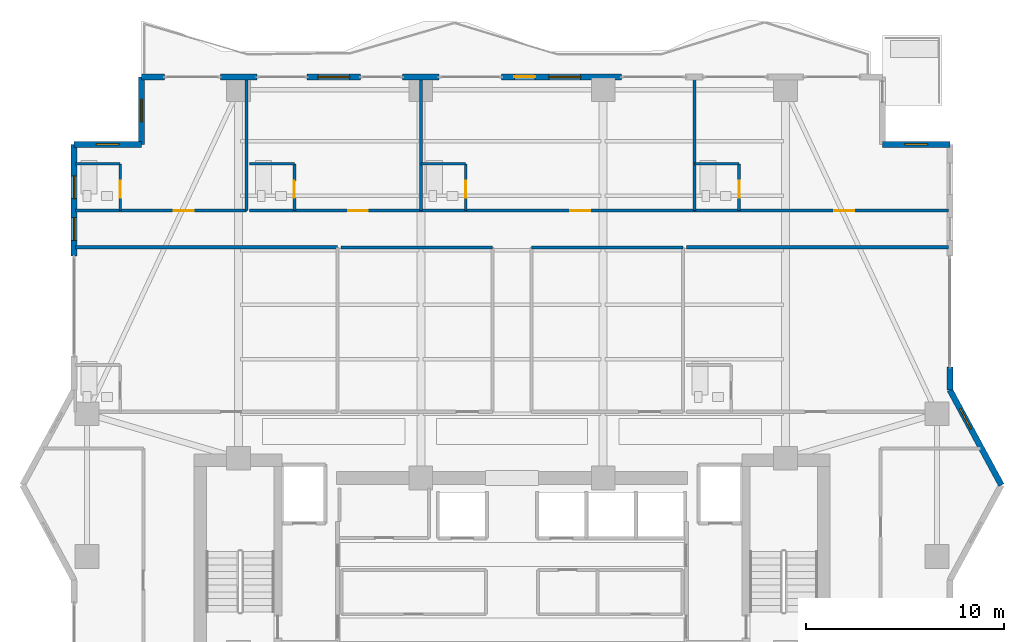
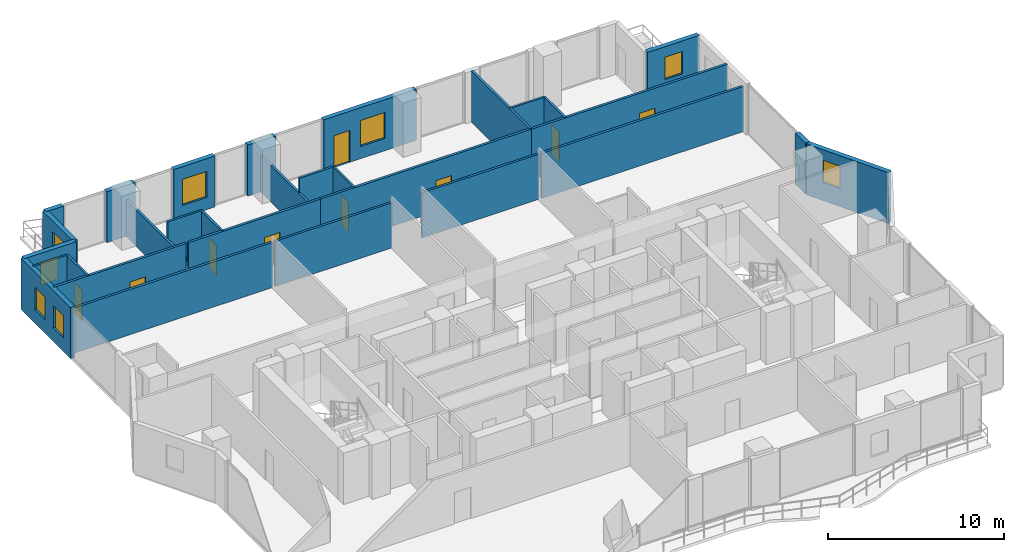
# One storey, part 28 of 33: 30 walls, 9 doors, 8 windows, 17 openings.
"""IFC4 building model written with IfcOpenShell, lengths in metres."""

from ifc_helpers import new_model, si_unit, direction, frame, frame_2d, origin, place, context, subcontext, project, spatial, rectangle, extrude, material, layer, layer_set, type_object, element, fill, save


model = new_model("IFC4")

# Units and contexts
model_context = context("Model", 3, precision=1e-05, world=origin(), true_north=direction((0.0, 1.0)))
body_context = subcontext(model_context, "Body", "Model", "MODEL_VIEW")
ifc_project = project(units=[si_unit("LENGTHUNIT", "METRE"), si_unit("AREAUNIT", "SQUARE_METRE"), si_unit("VOLUMEUNIT", "CUBIC_METRE"), si_unit("PLANEANGLEUNIT", "RADIAN"), si_unit("MASSUNIT", "GRAM", prefix="KILO")], contexts=[model_context])

# Site, building, storey
site_placement = place(None, origin())
site = spatial("IfcSite", under=ifc_project, at=site_placement, CompositionType="ELEMENT")
building_placement = place(site_placement, origin())
building = spatial("IfcBuilding", under=site, at=building_placement, Name="Zuhayl Quay Hotel", CompositionType="ELEMENT")
storey_placement = place(building_placement, frame((0.0, 0.0, 214.89990234375)))
storey = spatial("IfcBuildingStorey", under=building, at=storey_placement, Name="L54", CompositionType="ELEMENT", Elevation=214.89990234375)

# Wall, openings, windows
ifc_material_1 = material(Name="Precast concrete C45/55", Category="concrete")
ifc_layer_1 = layer(ifc_material_1, 0.300048828125, Name="Precast concrete C45/55", Category="concrete")
ifc_layer_set_1 = layer_set([ifc_layer_1], Name="Precast concrete C45/55")
wall_type_1 = type_object("IfcWallType", Name="WL_EXT_300", PredefinedType="STANDARD", material=ifc_layer_set_1)
wall_1_placement = place(storey_placement, frame((-22.10009765625, 24.550048828125, 0.0), z_axis=(0.0, 0.0, 1.0), x_axis=(0.0, 1.0, 0.0)))
wall_1 = element("IfcWall", 1, at=wall_1_placement, inside=storey, type_object=wall_type_1, Name="L54 Exterior Precast Wall ENV_L54_E05_EW2", PredefinedType="STANDARD", context=body_context, shape_type="SweptSolid", body=[
    extrude(rectangle(XDim=5.64990234375, YDim=0.300048828125, at=frame_2d((2.824951171875, 0.0))), origin(), (0.0, 0.0, 1.0), 3.530029296875),
])
opening_1_placement = place(wall_1_placement, frame((0.800048828125, 0.0, 0.949951171875)))
opening_1 = element("IfcOpeningElement", 2, at=opening_1_placement, cuts=wall_1, Name="Opening W01N", PredefinedType="OPENING", context=body_context, shape_type="SweptSolid", body=[
    extrude(rectangle(XDim=1.14990234375, YDim=1.550048828125, at=frame_2d((0.574951171875, 0.77490234375))), frame((0.0, 0.159912109375, 0.0), z_axis=(0.0, -1.0, 0.0), x_axis=(1.0, 0.0, 0.0)), (0.0, 0.0, 1.0), 0.320068359375),
])
opening_2_placement = place(wall_1_placement, frame((2.905029296875, 0.0, 0.949951171875)))
opening_2 = element("IfcOpeningElement", 3, at=opening_2_placement, cuts=wall_1, Name="Opening W01N", PredefinedType="OPENING", context=body_context, shape_type="SweptSolid", body=[
    extrude(rectangle(XDim=1.14990234375, YDim=1.550048828125, at=frame_2d((0.574951171875, 0.77490234375))), frame((0.0, 0.159912109375, 0.0), z_axis=(0.0, -1.0, 0.0), x_axis=(1.0, 0.0, 0.0)), (0.0, 0.0, 1.0), 0.320068359375),
])
ifc_material_2 = material(Name="Dark Ceramic-Fritted Solar Glass", Category="glass")
window_type_1 = type_object("IfcWindowType", Name="WN_NOTCH_1350", PartitioningType="SINGLE_PANEL", PredefinedType="WINDOW", material=ifc_material_2)
window_1_placement = place(opening_1_placement, origin())
window_1 = element("IfcWindow", 4, at=window_1_placement, inside=storey, type_object=window_type_1, Name="L54 Operable Facade Window 2-1", OverallHeight=1.550048828125, OverallWidth=1.14990234375, PartitioningType="SINGLE_PANEL", PredefinedType="WINDOW", context=body_context, shape_type="SweptSolid", body=[
    extrude(rectangle(XDim=1.14990234375, YDim=1.550048828125, at=frame_2d((0.574951171875, 0.77490234375))), frame((0.0, 0.030029296875, 0.0), z_axis=(0.0, -1.0, 0.0), x_axis=(1.0, 0.0, 0.0)), (0.0, 0.0, 1.0), 0.06005859375),
])
fill(opening_1, window_1)
window_2_placement = place(opening_2_placement, origin())
window_2 = element("IfcWindow", 5, at=window_2_placement, inside=storey, type_object=window_type_1, Name="L54 Operable Facade Window 2-2", OverallHeight=1.550048828125, OverallWidth=1.14990234375, PartitioningType="SINGLE_PANEL", PredefinedType="WINDOW", context=body_context, shape_type="SweptSolid", body=[
    extrude(rectangle(XDim=1.14990234375, YDim=1.550048828125, at=frame_2d((0.574951171875, 0.77490234375))), frame((0.0, 0.030029296875, 0.0), z_axis=(0.0, -1.0, 0.0), x_axis=(1.0, 0.0, 0.0)), (0.0, 0.0, 1.0), 0.06005859375),
])
fill(opening_2, window_2)

# Wall, opening, window
wall_2_placement = place(storey_placement, frame((-22.10009765625, 30.199951171875, 0.0), z_axis=(0.0, 0.0, 1.0), x_axis=(1.0, 0.0, 0.0)))
wall_2 = element("IfcWall", 6, at=wall_2_placement, inside=storey, type_object=wall_type_1, Name="L54 Exterior Precast Wall ENV_L54_EW06", PredefinedType="STANDARD", context=body_context, shape_type="SweptSolid", body=[
    extrude(rectangle(XDim=3.400146484375, YDim=0.300048828125, at=frame_2d((1.7001953125, 0.0))), origin(), (0.0, 0.0, 1.0), 3.530029296875),
])
opening_3_placement = place(wall_2_placement, frame((1.125, 0.0, 1.25)))
opening_3 = element("IfcOpeningElement", 7, at=opening_3_placement, cuts=wall_2, Name="Opening W01N", PredefinedType="OPENING", context=body_context, shape_type="SweptSolid", body=[
    extrude(rectangle(XDim=1.14990234375, YDim=1.550048828125, at=frame_2d((0.574951171875, 0.77490234375))), frame((0.0, 0.159912109375, 0.0), z_axis=(0.0, -1.0, 0.0), x_axis=(1.0, 0.0, 0.0)), (0.0, 0.0, 1.0), 0.320068359375),
])
window_3_placement = place(opening_3_placement, origin())
window_3 = element("IfcWindow", 8, at=window_3_placement, inside=storey, type_object=window_type_1, Name="L54 Corner Notch Window 6", OverallHeight=1.550048828125, OverallWidth=1.14990234375, PartitioningType="SINGLE_PANEL", PredefinedType="WINDOW", context=body_context, shape_type="SweptSolid", body=[
    extrude(rectangle(XDim=1.14990234375, YDim=1.550048828125, at=frame_2d((0.574951171875, 0.77490234375))), frame((0.0, 0.030029296875, 0.0), z_axis=(0.0, -1.0, 0.0), x_axis=(1.0, 0.0, 0.0)), (0.0, 0.0, 1.0), 0.06005859375),
])
fill(opening_3, window_3)

wall_3_placement = place(storey_placement, frame((-18.699951171875, 30.199951171875, 0.0), z_axis=(0.0, 0.0, 1.0), x_axis=(0.0, 1.0, 0.0)))
wall_3 = element("IfcWall", 9, at=wall_3_placement, inside=storey, type_object=wall_type_1, Name="L54 Exterior Precast Wall ENV_L54_EW07", PredefinedType="STANDARD", context=body_context, shape_type="SweptSolid", body=[
    extrude(rectangle(XDim=3.400146484375, YDim=0.300048828125, at=frame_2d((1.7001953125, 0.0))), origin(), (0.0, 0.0, 1.0), 3.530029296875),
])
opening_4_placement = place(wall_3_placement, frame((1.125, 0.0, 1.25)))
opening_4 = element("IfcOpeningElement", 10, at=opening_4_placement, cuts=wall_3, Name="Opening W01N", PredefinedType="OPENING", context=body_context, shape_type="SweptSolid", body=[
    extrude(rectangle(XDim=1.14990234375, YDim=1.550048828125, at=frame_2d((0.574951171875, 0.77490234375))), frame((0.0, 0.159912109375, 0.0), z_axis=(0.0, -1.0, 0.0), x_axis=(1.0, 0.0, 0.0)), (0.0, 0.0, 1.0), 0.320068359375),
])
window_4_placement = place(opening_4_placement, origin())
window_4 = element("IfcWindow", 11, at=window_4_placement, inside=storey, type_object=window_type_1, Name="L54 Corner Notch Window 7", OverallHeight=1.550048828125, OverallWidth=1.14990234375, PartitioningType="SINGLE_PANEL", PredefinedType="WINDOW", context=body_context, shape_type="SweptSolid", body=[
    extrude(rectangle(XDim=1.14990234375, YDim=1.550048828125, at=frame_2d((0.574951171875, 0.77490234375))), frame((0.0, 0.030029296875, 0.0), z_axis=(0.0, -1.0, 0.0), x_axis=(1.0, 0.0, 0.0)), (0.0, 0.0, 1.0), 0.06005859375),
])
fill(opening_4, window_4)

# Walls
wall_4_placement = place(storey_placement, frame((-18.699951171875, 33.60009765625, 0.0), z_axis=(0.0, 0.0, 1.0), x_axis=(1.0, 0.0, 0.0)))
element("IfcWall", 12, at=wall_4_placement, inside=storey, type_object=wall_type_1, Name="L54 Exterior Precast Wall ENV_L54_N_EW1", PredefinedType="STANDARD", context=body_context, shape_type="SweptSolid", body=[
    extrude(rectangle(XDim=1.14990234375, YDim=0.300048828125, at=frame_2d((0.574951171875, 0.0))), origin(), (0.0, 0.0, 1.0), 3.530029296875),
])
wall_5_placement = place(storey_placement, frame((-14.719970703125, 33.60009765625, 0.0), z_axis=(0.0, 0.0, 1.0), x_axis=(1.0, 0.0, 0.0)))
element("IfcWall", 13, at=wall_5_placement, inside=storey, type_object=wall_type_1, Name="L54 Exterior Precast Wall ENV_L54_N_EW2", PredefinedType="STANDARD", context=body_context, shape_type="SweptSolid", body=[
    extrude(rectangle(XDim=1.840087890625, YDim=0.300048828125, at=frame_2d((0.919921875, 0.0))), origin(), (0.0, 0.0, 1.0), 3.530029296875),
])

# Wall, opening, window
wall_6_placement = place(storey_placement, frame((-10.35009765625, 33.60009765625, 0.0), z_axis=(0.0, 0.0, 1.0), x_axis=(1.0, 0.0, 0.0)))
wall_6 = element("IfcWall", 14, at=wall_6_placement, inside=storey, type_object=wall_type_1, Name="L54 Exterior Precast Wall ENV_L54_N_EW3", PredefinedType="STANDARD", context=body_context, shape_type="SweptSolid", body=[
    extrude(rectangle(XDim=2.7001953125, YDim=0.300048828125, at=frame_2d((1.35009765625, 0.0))), origin(), (0.0, 0.0, 1.0), 3.530029296875),
])
opening_5_placement = place(wall_6_placement, frame((0.550048828125, 0.0, 0.85009765625)))
opening_5 = element("IfcOpeningElement", 15, at=opening_5_placement, cuts=wall_6, Name="Opening W01", PredefinedType="OPENING", context=body_context, shape_type="SweptSolid", body=[
    extrude(rectangle(XDim=1.60009765625, YDim=1.800048828125, at=frame_2d((0.800048828125, 0.89990234375))), frame((0.0, 0.159912109375, 0.0), z_axis=(0.0, -1.0, 0.0), x_axis=(1.0, 0.0, 0.0)), (0.0, 0.0, 1.0), 0.320068359375),
])
window_type_2 = type_object("IfcWindowType", Name="WN_OPERABLE_1600", PartitioningType="DOUBLE_PANEL_VERTICAL", PredefinedType="WINDOW", material=ifc_material_2)
window_5_placement = place(opening_5_placement, origin())
window_5 = element("IfcWindow", 16, at=window_5_placement, inside=storey, type_object=window_type_2, Name="L54 North Operable Casement Window", OverallHeight=1.800048828125, OverallWidth=1.60009765625, PartitioningType="SINGLE_PANEL", PredefinedType="WINDOW", context=body_context, shape_type="SweptSolid", body=[
    extrude(rectangle(XDim=1.60009765625, YDim=1.800048828125, at=frame_2d((0.800048828125, 0.89990234375))), frame((0.0, 0.030029296875, 0.0), z_axis=(0.0, -1.0, 0.0), x_axis=(1.0, 0.0, 0.0)), (0.0, 0.0, 1.0), 0.06005859375),
])
fill(opening_5, window_5)

# Wall
wall_7_placement = place(storey_placement, frame((-5.52001953125, 33.60009765625, 0.0), z_axis=(0.0, 0.0, 1.0), x_axis=(1.0, 0.0, 0.0)))
element("IfcWall", 17, at=wall_7_placement, inside=storey, type_object=wall_type_1, Name="L54 Exterior Precast Wall ENV_L54_N_EW4", PredefinedType="STANDARD", context=body_context, shape_type="SweptSolid", body=[
    extrude(rectangle(XDim=1.840087890625, YDim=0.300048828125, at=frame_2d((0.919921875, 0.0))), origin(), (0.0, 0.0, 1.0), 3.530029296875),
])

# Wall, openings, door, window
wall_8_placement = place(storey_placement, frame((-0.531005859375, 33.60009765625, 0.0), z_axis=(0.0, 0.0, 1.0), x_axis=(1.0, 0.0, 0.0)))
wall_8 = element("IfcWall", 18, at=wall_8_placement, inside=storey, type_object=wall_type_1, Name="L54 Exterior Precast Wall ENV_L54_N_EW5", PredefinedType="STANDARD", context=body_context, shape_type="SweptSolid", body=[
    extrude(rectangle(XDim=6.051025390625, YDim=0.300048828125, at=frame_2d((3.025390625, 0.0))), origin(), (0.0, 0.0, 1.0), 3.530029296875),
])
opening_6_placement = place(wall_8_placement, frame((0.64990234375, 0.0, 0.0)))
opening_6 = element("IfcOpeningElement", 19, at=opening_6_placement, cuts=wall_8, Name="Opening DG1", PredefinedType="OPENING", context=body_context, shape_type="SweptSolid", body=[
    extrude(rectangle(XDim=1.050048828125, YDim=2.199951171875, at=frame_2d((0.52490234375, 1.10009765625))), frame((0.0, 0.159912109375, 0.0), z_axis=(0.0, -1.0, 0.0), x_axis=(1.0, 0.0, 0.0)), (0.0, 0.0, 1.0), 0.320068359375),
])
opening_7_placement = place(wall_8_placement, frame((2.390380859375, 0.0, 0.85009765625)))
opening_7 = element("IfcOpeningElement", 20, at=opening_7_placement, cuts=wall_8, Name="Opening W01", PredefinedType="OPENING", context=body_context, shape_type="SweptSolid", body=[
    extrude(rectangle(XDim=1.60009765625, YDim=1.800048828125, at=frame_2d((0.800048828125, 0.89990234375))), frame((0.0, 0.159912109375, 0.0), z_axis=(0.0, -1.0, 0.0), x_axis=(1.0, 0.0, 0.0)), (0.0, 0.0, 1.0), 0.320068359375),
])
ifc_material_3 = material(Name="Anodised Aluminium and Dark Solar Glass", Category="aluminium")
door_type_1 = type_object("IfcDoorType", Name="DR_EXT_TERR_1050", OperationType="NOTDEFINED", PredefinedType="DOOR", material=ifc_material_3)
door_1_placement = place(opening_6_placement, origin())
door_1 = element("IfcDoor", 21, at=door_1_placement, inside=storey, type_object=door_type_1, Name="L54 North Rippling Balcony Door", OperationType="SINGLE_SWING_LEFT", OverallHeight=2.199951171875, OverallWidth=1.050048828125, PredefinedType="DOOR", context=body_context, shape_type="SweptSolid", body=[
    extrude(rectangle(XDim=1.050048828125, YDim=2.199951171875, at=frame_2d((0.52490234375, 1.10009765625))), frame((0.0, 0.02490234375, 0.0), z_axis=(0.0, -1.0, 0.0), x_axis=(1.0, 0.0, 0.0)), (0.0, 0.0, 1.0), 0.050048828125),
])
fill(opening_6, door_1)
window_6_placement = place(opening_7_placement, origin())
window_6 = element("IfcWindow", 22, at=window_6_placement, inside=storey, type_object=window_type_2, Name="L54 Operable Facade Window 5-1", OverallHeight=1.800048828125, OverallWidth=1.60009765625, PartitioningType="SINGLE_PANEL", PredefinedType="WINDOW", context=body_context, shape_type="SweptSolid", body=[
    extrude(rectangle(XDim=1.60009765625, YDim=1.800048828125, at=frame_2d((0.800048828125, 0.89990234375))), frame((0.0, 0.030029296875, 0.0), z_axis=(0.0, -1.0, 0.0), x_axis=(1.0, 0.0, 0.0)), (0.0, 0.0, 1.0), 0.06005859375),
])
fill(opening_7, window_6)

# Wall, opening, window
wall_9_placement = place(storey_placement, frame((18.699951171875, 30.199951171875, 0.0), z_axis=(0.0, 0.0, 1.0), x_axis=(1.0, 0.0, 0.0)))
wall_9 = element("IfcWall", 23, at=wall_9_placement, inside=storey, type_object=wall_type_1, Name="L54 Exterior Precast Wall ENV_L54_EW10", PredefinedType="STANDARD", context=body_context, shape_type="SweptSolid", body=[
    extrude(rectangle(XDim=3.400146484375, YDim=0.300048828125, at=frame_2d((1.7001953125, 0.0))), origin(), (0.0, 0.0, 1.0), 3.530029296875),
])
opening_8_placement = place(wall_9_placement, frame((1.125, 0.0, 1.25)))
opening_8 = element("IfcOpeningElement", 24, at=opening_8_placement, cuts=wall_9, Name="Opening W01N", PredefinedType="OPENING", context=body_context, shape_type="SweptSolid", body=[
    extrude(rectangle(XDim=1.14990234375, YDim=1.550048828125, at=frame_2d((0.574951171875, 0.77490234375))), frame((0.0, 0.159912109375, 0.0), z_axis=(0.0, -1.0, 0.0), x_axis=(1.0, 0.0, 0.0)), (0.0, 0.0, 1.0), 0.320068359375),
])
window_7_placement = place(opening_8_placement, origin())
window_7 = element("IfcWindow", 25, at=window_7_placement, inside=storey, type_object=window_type_1, Name="L54 Corner Notch Window 10", OverallHeight=1.550048828125, OverallWidth=1.14990234375, PartitioningType="SINGLE_PANEL", PredefinedType="WINDOW", context=body_context, shape_type="SweptSolid", body=[
    extrude(rectangle(XDim=1.14990234375, YDim=1.550048828125, at=frame_2d((0.574951171875, 0.77490234375))), frame((0.0, 0.030029296875, 0.0), z_axis=(0.0, -1.0, 0.0), x_axis=(1.0, 0.0, 0.0)), (0.0, 0.0, 1.0), 0.06005859375),
])
fill(opening_8, window_7)

# Wall
wall_10_placement = place(storey_placement, frame((22.10009765625, 18.949951171875, 0.0), z_axis=(0.0, 0.0, 1.0), x_axis=(0.0, -1.0, 0.0)))
element("IfcWall", 26, at=wall_10_placement, inside=storey, type_object=wall_type_1, Name="L54 Exterior Precast Wall ENV_L54_E11_EW2", PredefinedType="STANDARD", context=body_context, shape_type="SweptSolid", body=[
    extrude(rectangle(XDim=1.14990234375, YDim=0.300048828125, at=frame_2d((0.574951171875, 0.0))), origin(), (0.0, 0.0, 1.0), 3.530029296875),
])

# Wall, opening, window
wall_11_placement = place(storey_placement, frame((22.10009765625, 17.800048828125, 0.0), z_axis=(0.0, 0.0, 1.0), x_axis=(0.476258655584, -0.879305233114, 0.0)))
wall_11 = element("IfcWall", 27, at=wall_11_placement, inside=storey, type_object=wall_type_1, Name="L54 Exterior Precast Wall ENV_L54_EW12", PredefinedType="STANDARD", context=body_context, shape_type="SweptSolid", body=[
    extrude(rectangle(XDim=5.458984375, YDim=0.300048828125, at=frame_2d((2.7294921875, 0.0))), origin(), (0.0, 0.0, 1.0), 3.530029296875),
])
opening_9_placement = place(wall_11_placement, frame((1.078125, 0.0, 1.25)))
opening_9 = element("IfcOpeningElement", 28, at=opening_9_placement, cuts=wall_11, Name="Opening W01N", PredefinedType="OPENING", context=body_context, shape_type="SweptSolid", body=[
    extrude(rectangle(XDim=1.14990234375, YDim=1.550048828125, at=frame_2d((0.574951171875, 0.77490234375))), frame((0.0, 0.159912109375, 0.0), z_axis=(0.0, -1.0, 0.0), x_axis=(1.0, 0.0, 0.0)), (0.0, 0.0, 1.0), 0.320068359375),
])
window_8_placement = place(opening_9_placement, origin())
window_8 = element("IfcWindow", 29, at=window_8_placement, inside=storey, type_object=window_type_1, Name="L54 Corner Notch Window 12", OverallHeight=1.550048828125, OverallWidth=1.14990234375, PartitioningType="SINGLE_PANEL", PredefinedType="WINDOW", context=body_context, shape_type="SweptSolid", body=[
    extrude(rectangle(XDim=1.14990234375, YDim=1.550048828125, at=frame_2d((0.574951171875, 0.77490234375))), frame((0.0, 0.030029296875, 0.0), z_axis=(0.0, -1.0, 0.0), x_axis=(1.0, 0.0, 0.0)), (0.0, 0.0, 1.0), 0.06005859375),
])
fill(opening_9, window_8)

# Walls
ifc_material_4 = material(Name="Acoustic Gypsum Partition STC-58")
ifc_layer_2 = layer(ifc_material_4, 0.14990234375, Name="Acoustic Gypsum Partition STC-58")
ifc_layer_set_2 = layer_set([ifc_layer_2], Name="Acoustic Gypsum Partition STC-58")
wall_type_2 = type_object("IfcWallType", Name="WL_PART_150", PredefinedType="PARTITIONING", material=ifc_layer_set_2)
for number, where, z_axis, x_axis, name in (
    (30, (-13.39990234375, 26.85009765625, 0.0), (0.0, 0.0, 1.0), (0.0, 1.0, 0.0), "L54 Partition IW_L54_NU01A_E"),
    (31, (-4.60009765625, 26.85009765625, 0.0), (0.0, 0.0, 1.0), (0.0, 1.0, 0.0), "L54 Partition IW_L54_NU01B_E"),
):
    element("IfcWall", number, at=place(storey_placement, frame(where, z_axis=z_axis, x_axis=x_axis)), inside=storey, type_object=wall_type_2, Name=name, PredefinedType="PARTITIONING", context=body_context, shape_type="SweptSolid", body=[
        extrude(rectangle(XDim=6.669921875, YDim=0.14990234375, at=frame_2d((3.3349609375, 0.0))), origin(), (0.0, 0.0, 1.0), 2.51904296875),
    ])
wall_12_placement = place(storey_placement, frame((9.199951171875, 26.85009765625, 0.0), z_axis=(0.0, 0.0, 1.0), x_axis=(0.0, 1.0, 0.0)))
element("IfcWall", 32, at=wall_12_placement, inside=storey, type_object=wall_type_2, Name="L54 Partition IW_L54_NU02_E", PredefinedType="PARTITIONING", context=body_context, shape_type="SweptSolid", body=[
    extrude(rectangle(XDim=6.669921875, YDim=0.14990234375, at=frame_2d((3.3349609375, 0.0))), origin(), (0.0, 0.0, 1.0), 3.530029296875),
])
for number, where, z_axis, x_axis, name in (
    (33, (-8.639892578125, 25.0, 0.0), (0.0, 0.0, 1.0), (1.0, 0.0, 0.0), "L54 Partition IW_L54_Z3_MID_W_N"),
    (34, (0.97998046875, 25.0, 0.0), (0.0, 0.0, 1.0), (1.0, 0.0, 0.0), "L54 Partition IW_L54_Z3_MID_E_N"),
):
    element("IfcWall", number, at=place(storey_placement, frame(where, z_axis=z_axis, x_axis=x_axis)), inside=storey, type_object=wall_type_2, Name=name, PredefinedType="PARTITIONING", context=body_context, shape_type="SweptSolid", body=[
        extrude(rectangle(XDim=7.659912109375, YDim=0.14990234375, at=frame_2d((3.830078125, 0.0))), origin(), (0.0, 0.0, 1.0), 3.1240234375),
    ])

# Wall, opening, door
ifc_layer_3 = layer(ifc_material_4, 0.159912109375, Name="Acoustic Gypsum Partition STC-58")
ifc_layer_set_3 = layer_set([ifc_layer_3], Name="Acoustic Gypsum Partition STC-58")
wall_type_3 = type_object("IfcWallType", Name="WL_PART_CORR_160", PredefinedType="PARTITIONING", material=ifc_layer_set_3)
wall_13_placement = place(storey_placement, frame((-22.0400390625, 26.85009765625, 0.0), z_axis=(0.0, 0.0, 1.0), x_axis=(1.0, 0.0, 0.0)))
wall_13 = element("IfcWall", 35, at=wall_13_placement, inside=storey, type_object=wall_type_3, Name="L54 Partition IW_L54_NU01A_COR", PredefinedType="PARTITIONING", context=body_context, shape_type="SweptSolid", body=[
    extrude(rectangle(XDim=8.64013671875, YDim=0.159912109375, at=frame_2d((4.320068359375, 0.0))), origin(), (0.0, 0.0, 1.0), 3.530029296875),
])
opening_10_placement = place(wall_13_placement, frame((4.969970703125, 0.0, 0.0)))
opening_10 = element("IfcOpeningElement", 36, at=opening_10_placement, cuts=wall_13, Name="Opening D03L", PredefinedType="OPENING", context=body_context, shape_type="SweptSolid", body=[
    extrude(rectangle(XDim=1.0, YDim=2.14990234375, at=frame_2d((0.5, 1.074951171875))), frame((0.0, 0.08984375, 0.0), z_axis=(0.0, -1.0, 0.0), x_axis=(1.0, 0.0, 0.0)), (0.0, 0.0, 1.0), 0.179931640625),
])
ifc_material_5 = material(Name="Solid Walnut Acoustic Fire Door")
door_type_2 = type_object("IfcDoorType", Name="DR_SUITE_1000", OperationType="NOTDEFINED", PredefinedType="DOOR", material=ifc_material_5)
door_2_placement = place(opening_10_placement, origin())
door_2 = element("IfcDoor", 37, at=door_2_placement, inside=storey, type_object=door_type_2, Name="L54 Panoramic Gulf Suite L54-01A Entrance Door", OperationType="SINGLE_SWING_RIGHT", OverallHeight=2.14990234375, OverallWidth=1.0, PredefinedType="DOOR", context=body_context, shape_type="SweptSolid", body=[
    extrude(rectangle(XDim=1.0, YDim=2.14990234375, at=frame_2d((0.5, 1.074951171875))), frame((0.0, 0.02490234375, 0.0), z_axis=(0.0, -1.0, 0.0), x_axis=(1.0, 0.0, 0.0)), (0.0, 0.0, 1.0), 0.050048828125),
])
fill(opening_10, door_2)

wall_14_placement = place(storey_placement, frame((-13.239990234375, 26.85009765625, 0.0), z_axis=(0.0, 0.0, 1.0), x_axis=(1.0, 0.0, 0.0)))
wall_14 = element("IfcWall", 38, at=wall_14_placement, inside=storey, type_object=wall_type_3, Name="L54 Partition IW_L54_NU01B_COR", PredefinedType="PARTITIONING", context=body_context, shape_type="SweptSolid", body=[
    extrude(rectangle(XDim=8.639892578125, YDim=0.159912109375, at=frame_2d((4.31982421875, 0.0))), origin(), (0.0, 0.0, 1.0), 3.530029296875),
])
opening_11_placement = place(wall_14_placement, frame((4.969970703125, 0.0, 0.0)))
opening_11 = element("IfcOpeningElement", 39, at=opening_11_placement, cuts=wall_14, Name="Opening D03L", PredefinedType="OPENING", context=body_context, shape_type="SweptSolid", body=[
    extrude(rectangle(XDim=1.0, YDim=2.14990234375, at=frame_2d((0.5, 1.074951171875))), frame((0.0, 0.08984375, 0.0), z_axis=(0.0, -1.0, 0.0), x_axis=(1.0, 0.0, 0.0)), (0.0, 0.0, 1.0), 0.179931640625),
])
door_3_placement = place(opening_11_placement, origin())
door_3 = element("IfcDoor", 40, at=door_3_placement, inside=storey, type_object=door_type_2, Name="L54 Panoramic Gulf Suite L54-01B Entrance Door", OperationType="SINGLE_SWING_RIGHT", OverallHeight=2.14990234375, OverallWidth=1.0, PredefinedType="DOOR", context=body_context, shape_type="SweptSolid", body=[
    extrude(rectangle(XDim=1.0, YDim=2.14990234375, at=frame_2d((0.5, 1.074951171875))), frame((0.0, 0.02490234375, 0.0), z_axis=(0.0, -1.0, 0.0), x_axis=(1.0, 0.0, 0.0)), (0.0, 0.0, 1.0), 0.050048828125),
])
fill(opening_11, door_3)

wall_15_placement = place(storey_placement, frame((-4.60009765625, 26.85009765625, 0.0), z_axis=(0.0, 0.0, 1.0), x_axis=(1.0, 0.0, 0.0)))
wall_15 = element("IfcWall", 41, at=wall_15_placement, inside=storey, type_object=wall_type_3, Name="L54 Partition IW_L54_NU02_COR", PredefinedType="PARTITIONING", context=body_context, shape_type="SweptSolid", body=[
    extrude(rectangle(XDim=13.800048828125, YDim=0.159912109375, at=frame_2d((6.89990234375, 0.0))), origin(), (0.0, 0.0, 1.0), 3.530029296875),
])
opening_12_placement = place(wall_15_placement, frame((7.550048828125, 0.0, 0.0)))
opening_12 = element("IfcOpeningElement", 42, at=opening_12_placement, cuts=wall_15, Name="Opening D03L", PredefinedType="OPENING", context=body_context, shape_type="SweptSolid", body=[
    extrude(rectangle(XDim=1.0, YDim=2.14990234375, at=frame_2d((0.5, 1.074951171875))), frame((0.0, 0.08984375, 0.0), z_axis=(0.0, -1.0, 0.0), x_axis=(1.0, 0.0, 0.0)), (0.0, 0.0, 1.0), 0.179931640625),
])
door_4_placement = place(opening_12_placement, origin())
door_4 = element("IfcDoor", 43, at=door_4_placement, inside=storey, type_object=door_type_2, Name="L54 Panoramic Gulf Suite L54-02 Entrance Door", OperationType="SINGLE_SWING_RIGHT", OverallHeight=2.14990234375, OverallWidth=1.0, PredefinedType="DOOR", context=body_context, shape_type="SweptSolid", body=[
    extrude(rectangle(XDim=1.0, YDim=2.14990234375, at=frame_2d((0.5, 1.074951171875))), frame((0.0, 0.02490234375, 0.0), z_axis=(0.0, -1.0, 0.0), x_axis=(1.0, 0.0, 0.0)), (0.0, 0.0, 1.0), 0.050048828125),
])
fill(opening_12, door_4)

wall_16_placement = place(storey_placement, frame((9.199951171875, 26.85009765625, 0.0), z_axis=(0.0, 0.0, 1.0), x_axis=(1.0, 0.0, 0.0)))
wall_16 = element("IfcWall", 44, at=wall_16_placement, inside=storey, type_object=wall_type_3, Name="L54 Partition IW_L54_NU03_COR", PredefinedType="PARTITIONING", context=body_context, shape_type="SweptSolid", body=[
    extrude(rectangle(XDim=12.840087890625, YDim=0.159912109375, at=frame_2d((6.419921875, 0.0))), origin(), (0.0, 0.0, 1.0), 3.530029296875),
])
opening_13_placement = place(wall_16_placement, frame((7.070068359375, 0.0, 0.0)))
opening_13 = element("IfcOpeningElement", 45, at=opening_13_placement, cuts=wall_16, Name="Opening D03L", PredefinedType="OPENING", context=body_context, shape_type="SweptSolid", body=[
    extrude(rectangle(XDim=1.0, YDim=2.14990234375, at=frame_2d((0.5, 1.074951171875))), frame((0.0, 0.08984375, 0.0), z_axis=(0.0, -1.0, 0.0), x_axis=(1.0, 0.0, 0.0)), (0.0, 0.0, 1.0), 0.179931640625),
])
door_5_placement = place(opening_13_placement, origin())
door_5 = element("IfcDoor", 46, at=door_5_placement, inside=storey, type_object=door_type_2, Name="L54 Panoramic Gulf Suite L54-03 Entrance Door", OperationType="SINGLE_SWING_RIGHT", OverallHeight=2.14990234375, OverallWidth=1.0, PredefinedType="DOOR", context=body_context, shape_type="SweptSolid", body=[
    extrude(rectangle(XDim=1.0, YDim=2.14990234375, at=frame_2d((0.5, 1.074951171875))), frame((0.0, 0.02490234375, 0.0), z_axis=(0.0, -1.0, 0.0), x_axis=(1.0, 0.0, 0.0)), (0.0, 0.0, 1.0), 0.050048828125),
])
fill(opening_13, door_5)

# Walls
for number, where, z_axis, x_axis, name in (
    (47, (-22.0400390625, 25.0, 0.0), (0.0, 0.0, 1.0), (1.0, 0.0, 0.0), "L54 Partition IW_L54_MU01_BK"),
    (48, (8.800048828125, 25.0, 0.0), (0.0, 0.0, 1.0), (1.0, 0.0, 0.0), "L54 Partition IW_L54_MU04_BK"),
):
    element("IfcWall", number, at=place(storey_placement, frame(where, z_axis=z_axis, x_axis=x_axis)), inside=storey, type_object=wall_type_3, Name=name, PredefinedType="PARTITIONING", context=body_context, shape_type="SweptSolid", body=[
        extrude(rectangle(XDim=13.239990234375, YDim=0.159912109375, at=frame_2d((6.6201171875, 0.0))), origin(), (0.0, 0.0, 1.0), 3.1240234375),
    ])

# Wall, opening, door
ifc_material_6 = material(Name="Moisture-Resistant Sanitarychase Gypsum")
ifc_layer_4 = layer(ifc_material_6, 0.135009765625, Name="Moisture-Resistant Sanitarychase Gypsum")
ifc_layer_set_4 = layer_set([ifc_layer_4], Name="Moisture-Resistant Sanitarychase Gypsum")
wall_type_4 = type_object("IfcWallType", Name="WL_PART_PLUMB_150", PredefinedType="PLUMBINGWALL", material=ifc_layer_set_4)
wall_17_placement = place(storey_placement, frame((-19.780029296875, 26.85009765625, 0.0), z_axis=(0.0, 0.0, 1.0), x_axis=(0.0, 1.0, 0.0)))
wall_17 = element("IfcWall", 49, at=wall_17_placement, inside=storey, type_object=wall_type_4, Name="L54 Partition IW_L54_NU01A_BE", PredefinedType="PLUMBINGWALL", context=body_context, shape_type="SweptSolid", body=[
    extrude(rectangle(XDim=2.35986328125, YDim=0.135009765625, at=frame_2d((1.179931640625, 0.0))), origin(), (0.0, 0.0, 1.0), 3.530029296875),
])
opening_14_placement = place(wall_17_placement, frame((0.64990234375, 0.0, 0.0)))
opening_14 = element("IfcOpeningElement", 50, at=opening_14_placement, cuts=wall_17, Name="Opening D04", PredefinedType="OPENING", context=body_context, shape_type="SweptSolid", body=[
    extrude(rectangle(XDim=0.85009765625, YDim=2.10009765625, at=frame_2d((0.425048828125, 1.050048828125))), frame((0.0, 0.077392578125, 0.0), z_axis=(0.0, -1.0, 0.0), x_axis=(1.0, 0.0, 0.0)), (0.0, 0.0, 1.0), 0.155029296875),
])
ifc_material_7 = material(Name="Moisture-Resistant Walnut Veneer")
door_type_3 = type_object("IfcDoorType", Name="DR_BATH_850", OperationType="NOTDEFINED", PredefinedType="DOOR", material=ifc_material_7)
door_6_placement = place(opening_14_placement, origin())
door_6 = element("IfcDoor", 51, at=door_6_placement, inside=storey, type_object=door_type_3, Name="L54 Panoramic Gulf Suite L54-01A En-Suite Door", OperationType="SINGLE_SWING_LEFT", OverallHeight=2.10009765625, OverallWidth=0.85009765625, PredefinedType="DOOR", context=body_context, shape_type="SweptSolid", body=[
    extrude(rectangle(XDim=0.85009765625, YDim=2.10009765625, at=frame_2d((0.425048828125, 1.050048828125))), frame((0.0, 0.02490234375, 0.0), z_axis=(0.0, -1.0, 0.0), x_axis=(1.0, 0.0, 0.0)), (0.0, 0.0, 1.0), 0.050048828125),
])
fill(opening_14, door_6)

wall_18_placement = place(storey_placement, frame((-10.97998046875, 26.85009765625, 0.0), z_axis=(0.0, 0.0, 1.0), x_axis=(0.0, 1.0, 0.0)))
wall_18 = element("IfcWall", 52, at=wall_18_placement, inside=storey, type_object=wall_type_4, Name="L54 Partition IW_L54_NU01B_BE", PredefinedType="PLUMBINGWALL", context=body_context, shape_type="SweptSolid", body=[
    extrude(rectangle(XDim=2.35986328125, YDim=0.135009765625, at=frame_2d((1.179931640625, 0.0))), origin(), (0.0, 0.0, 1.0), 3.530029296875),
])
opening_15_placement = place(wall_18_placement, frame((0.64990234375, 0.0, 0.0)))
opening_15 = element("IfcOpeningElement", 53, at=opening_15_placement, cuts=wall_18, Name="Opening D04", PredefinedType="OPENING", context=body_context, shape_type="SweptSolid", body=[
    extrude(rectangle(XDim=0.85009765625, YDim=2.10009765625, at=frame_2d((0.425048828125, 1.050048828125))), frame((0.0, 0.077392578125, 0.0), z_axis=(0.0, -1.0, 0.0), x_axis=(1.0, 0.0, 0.0)), (0.0, 0.0, 1.0), 0.155029296875),
])
door_7_placement = place(opening_15_placement, origin())
door_7 = element("IfcDoor", 54, at=door_7_placement, inside=storey, type_object=door_type_3, Name="L54 Panoramic Gulf Suite L54-01B En-Suite Door", OperationType="SINGLE_SWING_LEFT", OverallHeight=2.10009765625, OverallWidth=0.85009765625, PredefinedType="DOOR", context=body_context, shape_type="SweptSolid", body=[
    extrude(rectangle(XDim=0.85009765625, YDim=2.10009765625, at=frame_2d((0.425048828125, 1.050048828125))), frame((0.0, 0.02490234375, 0.0), z_axis=(0.0, -1.0, 0.0), x_axis=(1.0, 0.0, 0.0)), (0.0, 0.0, 1.0), 0.050048828125),
])
fill(opening_15, door_7)

wall_19_placement = place(storey_placement, frame((-2.340087890625, 26.85009765625, 0.0), z_axis=(0.0, 0.0, 1.0), x_axis=(0.0, 1.0, 0.0)))
wall_19 = element("IfcWall", 55, at=wall_19_placement, inside=storey, type_object=wall_type_4, Name="L54 Partition IW_L54_NU02_BE", PredefinedType="PLUMBINGWALL", context=body_context, shape_type="SweptSolid", body=[
    extrude(rectangle(XDim=2.35986328125, YDim=0.135009765625, at=frame_2d((1.179931640625, 0.0))), origin(), (0.0, 0.0, 1.0), 3.530029296875),
])
opening_16_placement = place(wall_19_placement, frame((0.64990234375, 0.0, 0.0)))
opening_16 = element("IfcOpeningElement", 56, at=opening_16_placement, cuts=wall_19, Name="Opening D04", PredefinedType="OPENING", context=body_context, shape_type="SweptSolid", body=[
    extrude(rectangle(XDim=0.85009765625, YDim=2.10009765625, at=frame_2d((0.425048828125, 1.050048828125))), frame((0.0, 0.077392578125, 0.0), z_axis=(0.0, -1.0, 0.0), x_axis=(1.0, 0.0, 0.0)), (0.0, 0.0, 1.0), 0.155029296875),
])
door_8_placement = place(opening_16_placement, origin())
door_8 = element("IfcDoor", 57, at=door_8_placement, inside=storey, type_object=door_type_3, Name="L54 Panoramic Gulf Suite L54-02 En-Suite Door", OperationType="SINGLE_SWING_LEFT", OverallHeight=2.10009765625, OverallWidth=0.85009765625, PredefinedType="DOOR", context=body_context, shape_type="SweptSolid", body=[
    extrude(rectangle(XDim=0.85009765625, YDim=2.10009765625, at=frame_2d((0.425048828125, 1.050048828125))), frame((0.0, 0.02490234375, 0.0), z_axis=(0.0, -1.0, 0.0), x_axis=(1.0, 0.0, 0.0)), (0.0, 0.0, 1.0), 0.050048828125),
])
fill(opening_16, door_8)

wall_20_placement = place(storey_placement, frame((11.4599609375, 26.85009765625, 0.0), z_axis=(0.0, 0.0, 1.0), x_axis=(0.0, 1.0, 0.0)))
wall_20 = element("IfcWall", 58, at=wall_20_placement, inside=storey, type_object=wall_type_4, Name="L54 Partition IW_L54_NU03_BE", PredefinedType="PLUMBINGWALL", context=body_context, shape_type="SweptSolid", body=[
    extrude(rectangle(XDim=2.35986328125, YDim=0.135009765625, at=frame_2d((1.179931640625, 0.0))), origin(), (0.0, 0.0, 1.0), 3.530029296875),
])
opening_17_placement = place(wall_20_placement, frame((0.64990234375, 0.0, 0.0)))
opening_17 = element("IfcOpeningElement", 59, at=opening_17_placement, cuts=wall_20, Name="Opening D04", PredefinedType="OPENING", context=body_context, shape_type="SweptSolid", body=[
    extrude(rectangle(XDim=0.85009765625, YDim=2.10009765625, at=frame_2d((0.425048828125, 1.050048828125))), frame((0.0, 0.077392578125, 0.0), z_axis=(0.0, -1.0, 0.0), x_axis=(1.0, 0.0, 0.0)), (0.0, 0.0, 1.0), 0.155029296875),
])
door_9_placement = place(opening_17_placement, origin())
door_9 = element("IfcDoor", 60, at=door_9_placement, inside=storey, type_object=door_type_3, Name="L54 Panoramic Gulf Suite L54-03 En-Suite Door", OperationType="SINGLE_SWING_LEFT", OverallHeight=2.10009765625, OverallWidth=0.85009765625, PredefinedType="DOOR", context=body_context, shape_type="SweptSolid", body=[
    extrude(rectangle(XDim=0.85009765625, YDim=2.10009765625, at=frame_2d((0.425048828125, 1.050048828125))), frame((0.0, 0.02490234375, 0.0), z_axis=(0.0, -1.0, 0.0), x_axis=(1.0, 0.0, 0.0)), (0.0, 0.0, 1.0), 0.050048828125),
])
fill(opening_17, door_9)

# Walls
for number, where, z_axis, x_axis, name in (
    (61, (-22.0400390625, 29.2099609375, 0.0), (0.0, 0.0, 1.0), (1.0, 0.0, 0.0), "L54 Partition IW_L54_NU01A_BN"),
    (62, (-13.239990234375, 29.2099609375, 0.0), (0.0, 0.0, 1.0), (1.0, 0.0, 0.0), "L54 Partition IW_L54_NU01B_BN"),
    (63, (-4.60009765625, 29.2099609375, 0.0), (0.0, 0.0, 1.0), (1.0, 0.0, 0.0), "L54 Partition IW_L54_NU02_BN"),
    (64, (9.199951171875, 29.2099609375, 0.0), (0.0, 0.0, 1.0), (1.0, 0.0, 0.0), "L54 Partition IW_L54_NU03_BN"),
):
    element("IfcWall", number, at=place(storey_placement, frame(where, z_axis=z_axis, x_axis=x_axis)), inside=storey, type_object=wall_type_4, Name=name, PredefinedType="PLUMBINGWALL", context=body_context, shape_type="SweptSolid", body=[
        extrude(rectangle(XDim=2.260009765625, YDim=0.135009765625, at=frame_2d((1.1298828125, 0.0))), origin(), (0.0, 0.0, 1.0), 3.530029296875),
    ])

save(model, "model.ifc")
